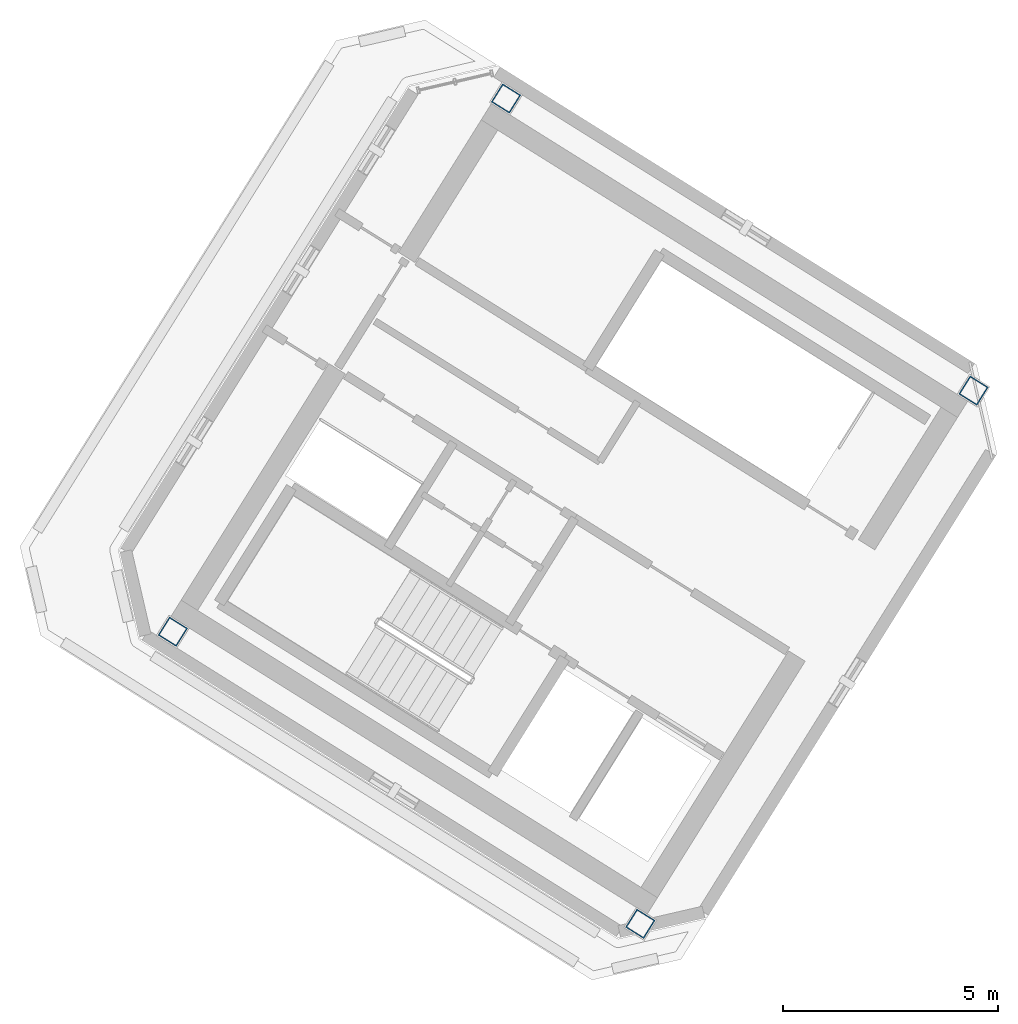
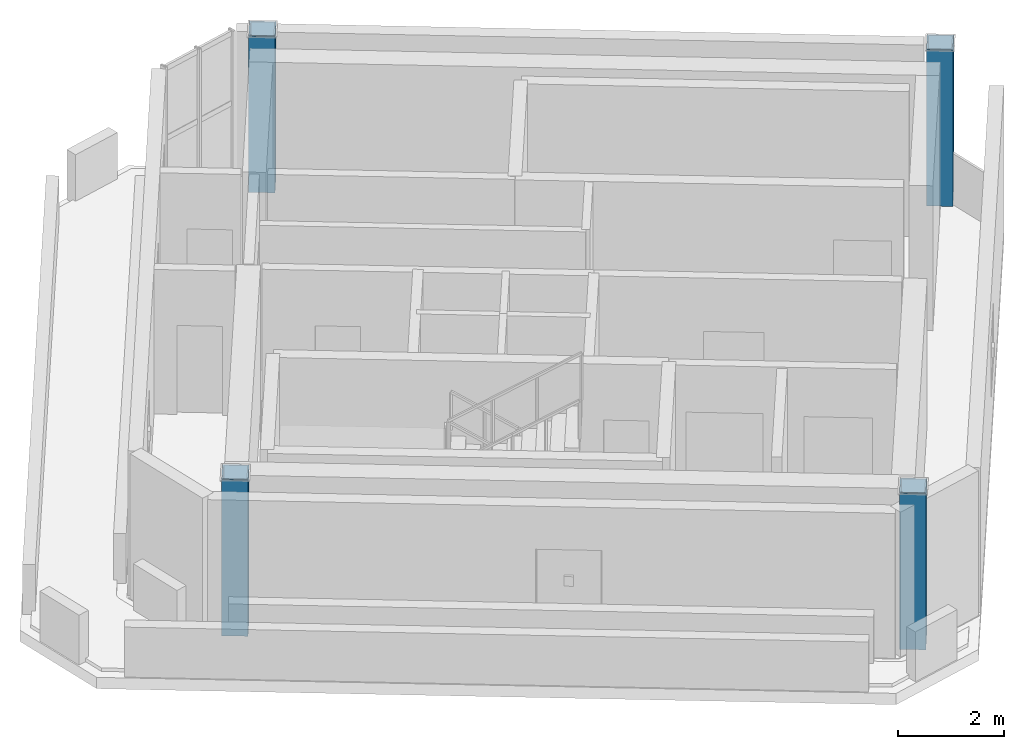
# One storey, part 1 of 5: 4 columns.
"""IFC4 building model written with IfcOpenShell, lengths in metres."""

from ifc_helpers import new_model, si_unit, direction, frame, origin, origin_2d, place, context, subcontext, project, spatial, hollow_rectangle, extrude, source, transform, mapped, material, material_profile, profile_set, type_object, element, save


model = new_model("IFC4")

# Units and contexts
model_context = context("Model", 3, precision=1e-05, world=origin(), true_north=direction((0.0, 1.0)))
body_context = subcontext(model_context, "Body", "Model", "MODEL_VIEW")
ifc_project = project(units=[si_unit("LENGTHUNIT", "METRE"), si_unit("AREAUNIT", "SQUARE_METRE"), si_unit("VOLUMEUNIT", "CUBIC_METRE"), si_unit("PLANEANGLEUNIT", "RADIAN"), si_unit("MASSUNIT", "GRAM", prefix="KILO")], contexts=[model_context])

# Site, building, storey
site_placement = place(None, origin())
site = spatial("IfcSite", under=ifc_project, at=site_placement, CompositionType="ELEMENT")
building_placement = place(site_placement, origin())
building = spatial("IfcBuilding", under=site, at=building_placement, Name="Tlacorven Tower", CompositionType="ELEMENT")
storey_placement = place(building_placement, frame((0.0, 0.0, 316.800048828125)))
storey = spatial("IfcBuildingStorey", under=building, at=storey_placement, Name="L81", CompositionType="ELEMENT", Elevation=316.800048828125)

# Columns
ifc_material = material(Name="Steel S355J2", Category="steel")
ifc_material_profile = material_profile(ifc_material, hollow_rectangle(XDim=0.5, YDim=0.5, WallThickness=0.02490234375, at=origin_2d()), Name="BOX 500X500X25")
ifc_profile_set = profile_set([ifc_material_profile], Name="Steel S355J2")
column_type = type_object("IfcColumnType", Name="COL-CRN-01", PredefinedType="COLUMN", material=ifc_profile_set)
shared_shape = source(origin(), body_context, "Body", "SweptSolid", [
    extrude(hollow_rectangle(XDim=0.5, YDim=0.5, WallThickness=0.02490234375, at=origin_2d()), origin(), (0.0, 0.0, 1.0), 3.599853515625),
])
for number, where, z_axis, x_axis, name in (
    (1, (40.782958984375, 24.468505859375, 0.0), (0.0, 0.0, 1.0), (-0.848048096156, 0.529919264233, 0.0), "L81 column COL-L81-CR11"),
    (2, (33.046142578125, 12.0869140625, 0.0), (0.0, 0.0, 1.0), (-0.848048096156, 0.529919264233, 0.0), "L81 column COL-L81-CR12"),
    (3, (29.927978515625, 31.25146484375, 0.0), (0.0, 0.0, 1.0), (-0.848048096156, 0.529919264233, 0.0), "L81 column COL-L81-CR21"),
    (4, (22.191162109375, 18.869873046875, 0.0), (0.0, 0.0, 1.0), (-0.848048096156, 0.529919264233, 0.0), "L81 column COL-L81-CR22"),
):
    element("IfcColumn", number, at=place(storey_placement, frame(where, z_axis=z_axis, x_axis=x_axis)), inside=storey, type_object=column_type, Name=name, PredefinedType="COLUMN", context=body_context, shape_type="MappedRepresentation", body=[
        mapped(shared_shape, transform((0.0, 0.0, 0.0), scale=1.0)),
    ])

save(model, "model.ifc")
